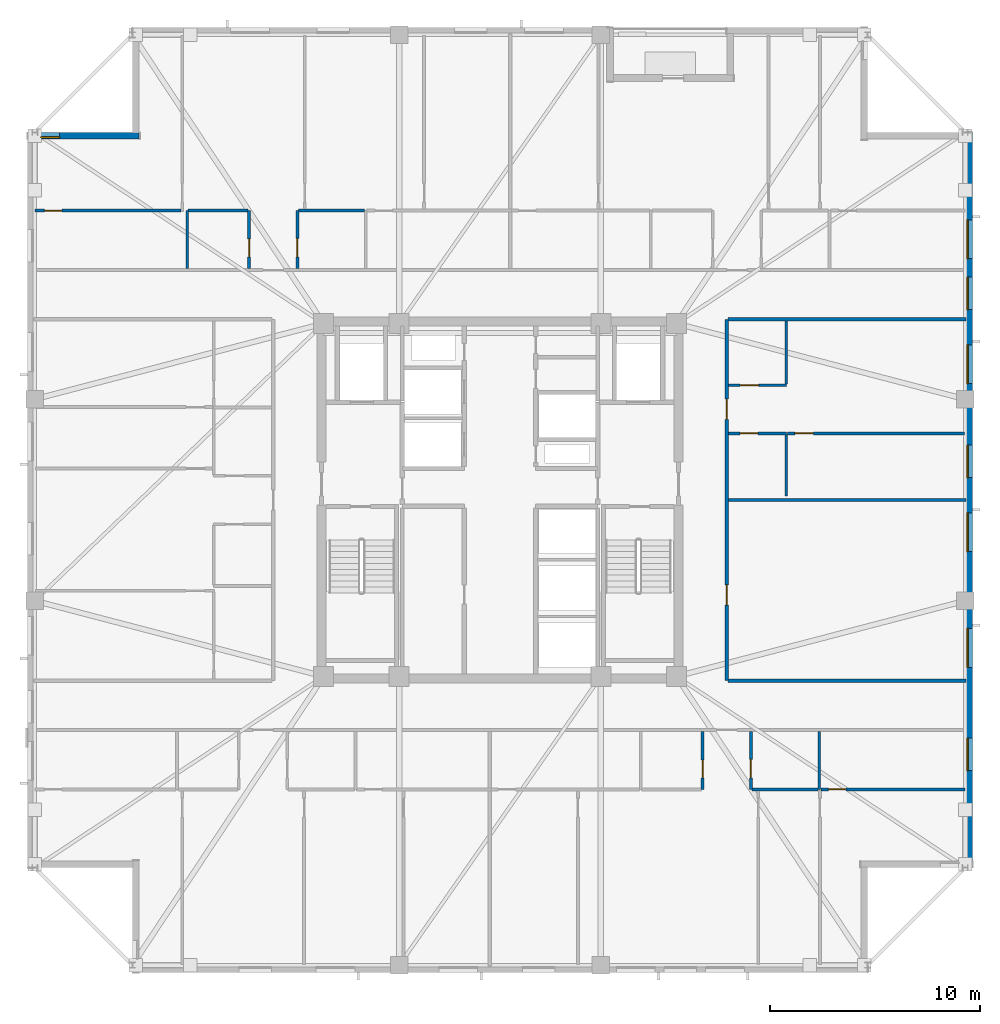
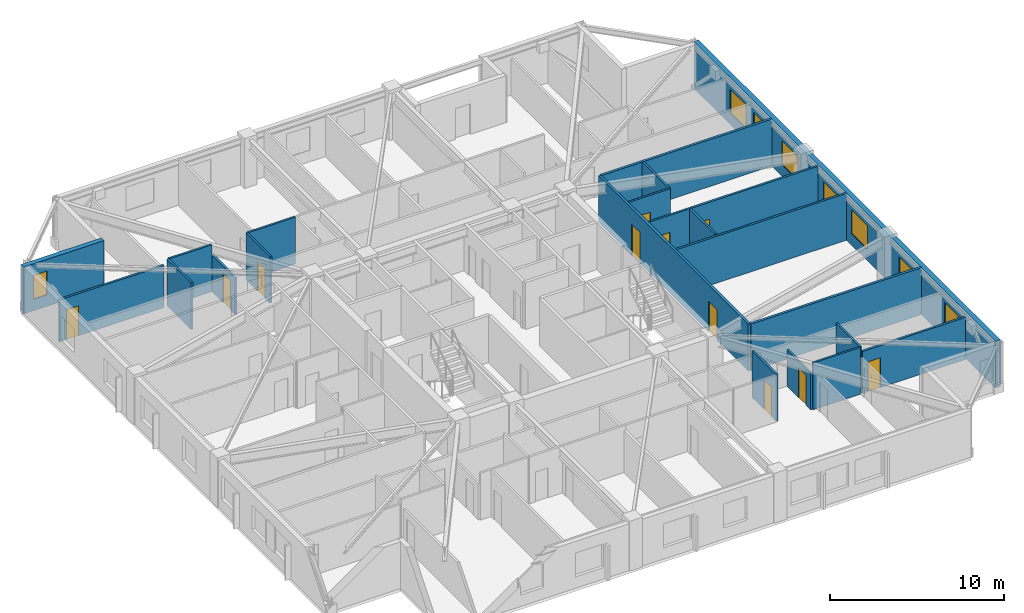
# One storey, part 10 of 17: 22 walls, 11 doors, 8 windows, 19 openings.
"""IFC4 building model written with IfcOpenShell, lengths in metres."""

from ifc_helpers import new_model, si_unit, direction, frame, frame_2d, origin, place, context, subcontext, project, spatial, rectangle, extrude, material, layer, layer_set, type_object, element, fill, save


model = new_model("IFC4")

# Units and contexts
model_context = context("Model", 3, precision=1e-05, world=origin(), true_north=direction((0.0, 1.0)))
body_context = subcontext(model_context, "Body", "Model", "MODEL_VIEW")
ifc_project = project(units=[si_unit("LENGTHUNIT", "METRE"), si_unit("AREAUNIT", "SQUARE_METRE"), si_unit("VOLUMEUNIT", "CUBIC_METRE"), si_unit("PLANEANGLEUNIT", "RADIAN"), si_unit("MASSUNIT", "GRAM", prefix="KILO")], contexts=[model_context])

# Site, building, storey
site_placement = place(None, origin())
site = spatial("IfcSite", under=ifc_project, at=site_placement, CompositionType="ELEMENT")
building_placement = place(site_placement, origin())
building = spatial("IfcBuilding", under=site, at=building_placement, Name="Cairnveth Concourse Tower", CompositionType="ELEMENT")
storey_placement = place(building_placement, frame((0.0, 0.0, 202.5)))
storey = spatial("IfcBuildingStorey", under=building, at=storey_placement, Name="L55", CompositionType="ELEMENT", Elevation=202.5)

# Wall, openings, doors
ifc_material_1 = material(Name="Gypsum Plasterboard Partition", Category="gypsum")
ifc_layer_1 = layer(ifc_material_1, 0.159912109375)
ifc_layer_set_1 = layer_set([ifc_layer_1], Name="Gypsum Plasterboard Partition")
wall_type_1 = type_object("IfcWallType", Name="ACOUSTIC PARTY WALL 180", PredefinedType="PARTITIONING", material=ifc_layer_set_1)
wall_1_placement = place(storey_placement, frame((62.800048828125, 30.39990234375, 0.0), z_axis=(0.0, 0.0, 1.0), x_axis=(0.0, 1.0, 0.0)))
wall_1 = element("IfcWall", 1, at=wall_1_placement, inside=storey, type_object=wall_type_1, Name="Interior Wall IW-L55-039", PredefinedType="PARTITIONING", context=body_context, shape_type="SweptSolid", body=[
    extrude(rectangle(XDim=17.2001953125, YDim=0.159912109375, at=frame_2d((8.60009765625, 0.0))), origin(), (0.0, 0.0, 1.0), 3.2900390625),
])
opening_1_placement = place(wall_1_placement, frame((3.60009765625, 0.0, 0.0)))
opening_1 = element("IfcOpeningElement", 2, at=opening_1_placement, cuts=wall_1, Name="Opening ID11", PredefinedType="OPENING", context=body_context, shape_type="SweptSolid", body=[
    extrude(rectangle(XDim=0.9599609375, YDim=2.1201171875, at=frame_2d((0.47998046875, 1.06005859375))), frame((0.0, 0.08984375, 0.0), z_axis=(0.0, -1.0, 0.0), x_axis=(1.0, 0.0, 0.0)), (0.0, 0.0, 1.0), 0.179931640625),
])
opening_2_placement = place(wall_1_placement, frame((12.43994140625, 0.0, 0.0)))
opening_2 = element("IfcOpeningElement", 3, at=opening_2_placement, cuts=wall_1, Name="Opening ID10", PredefinedType="OPENING", context=body_context, shape_type="SweptSolid", body=[
    extrude(rectangle(XDim=0.9599609375, YDim=2.179931640625, at=frame_2d((0.47998046875, 1.08984375))), frame((0.0, 0.08984375, 0.0), z_axis=(0.0, -1.0, 0.0), x_axis=(1.0, 0.0, 0.0)), (0.0, 0.0, 1.0), 0.179931640625),
])
ifc_material_2 = material(Name="Solid Core Hardwood Timber Leaf", Category="wood")
door_type_1 = type_object("IfcDoorType", Name="FLAT ENTRANCE DOOR 960X2150", OperationType="NOTDEFINED", PredefinedType="DOOR", material=ifc_material_2)
door_1_placement = place(opening_2_placement, origin())
door_1 = element("IfcDoor", 4, at=door_1_placement, inside=storey, type_object=door_type_1, Name="Apartment L55E1 Entrance Door", OperationType="SINGLE_SWING_RIGHT", OverallHeight=2.179931640625, OverallWidth=0.9599609375, PredefinedType="DOOR", context=body_context, shape_type="SweptSolid", body=[
    extrude(rectangle(XDim=0.9599609375, YDim=2.179931640625, at=frame_2d((0.47998046875, 1.08984375))), frame((0.0, 0.02490234375, 0.0), z_axis=(0.0, -1.0, 0.0), x_axis=(1.0, 0.0, 0.0)), (0.0, 0.0, 1.0), 0.050048828125),
])
fill(opening_2, door_1)
door_type_2 = type_object("IfcDoorType", Name="INTERIOR SINGLE DOOR 960X2150", OperationType="NOTDEFINED", PredefinedType="DOOR", material=ifc_material_2)
door_2_placement = place(opening_1_placement, origin())
door_2 = element("IfcDoor", 5, at=door_2_placement, inside=storey, type_object=door_type_2, Name="Interior Door DR-L55-054", OperationType="SINGLE_SWING_RIGHT", OverallHeight=2.1201171875, OverallWidth=0.9599609375, PredefinedType="DOOR", context=body_context, shape_type="SweptSolid", body=[
    extrude(rectangle(XDim=0.9599609375, YDim=2.1201171875, at=frame_2d((0.47998046875, 1.06005859375))), frame((0.0, 0.02490234375, 0.0), z_axis=(0.0, -1.0, 0.0), x_axis=(1.0, 0.0, 0.0)), (0.0, 0.0, 1.0), 0.050048828125),
])
fill(opening_1, door_2)

# Walls
for number, where, z_axis, x_axis, name in (
    (6, (62.864990234375, 30.39990234375, 0.0), (0.0, 0.0, 1.0), (1.0, 0.0, 0.0), "Interior Wall IW-L55-042"),
    (7, (62.864990234375, 47.60009765625, 0.0), (0.0, 0.0, 1.0), (1.0, 0.0, 0.0), "Interior Wall IW-L55-043"),
):
    element("IfcWall", number, at=place(storey_placement, frame(where, z_axis=z_axis, x_axis=x_axis)), inside=storey, type_object=wall_type_1, Name=name, PredefinedType="PARTITIONING", context=body_context, shape_type="SweptSolid", body=[
        extrude(rectangle(XDim=11.330078125, YDim=0.159912109375, at=frame_2d((5.6650390625, 0.0))), origin(), (0.0, 0.0, 1.0), 3.2900390625),
    ])

# Wall, opening, door
ifc_layer_2 = layer(ifc_material_1, 0.139892578125)
ifc_layer_set_2 = layer_set([ifc_layer_2], Name="Gypsum Plasterboard Partition")
wall_type_2 = type_object("IfcWallType", Name="GYPSUM STUD PARTITION 140", PredefinedType="PARTITIONING", material=ifc_layer_set_2)
wall_2_placement = place(storey_placement, frame((67.284912109375, 25.219970703125, 0.0), z_axis=(0.0, 0.0, 1.0), x_axis=(1.0, 0.0, 0.0)))
wall_2 = element("IfcWall", 8, at=wall_2_placement, inside=storey, type_object=wall_type_2, Name="Interior Wall IW-L55-065", PredefinedType="PARTITIONING", context=body_context, shape_type="SweptSolid", body=[
    extrude(rectangle(XDim=6.844970703125, YDim=0.139892578125, at=frame_2d((3.42236328125, 0.0))), origin(), (0.0, 0.0, 1.0), 2.9580078125),
])
opening_3_placement = place(wall_2_placement, frame((0.361083984375, 0.0, 0.0)))
opening_3 = element("IfcOpeningElement", 9, at=opening_3_placement, cuts=wall_2, Name="Opening ID22", PredefinedType="OPENING", context=body_context, shape_type="SweptSolid", body=[
    extrude(rectangle(XDim=0.820068359375, YDim=2.10009765625, at=frame_2d((0.41015625, 1.050048828125))), frame((0.0, 0.079833984375, 0.0), z_axis=(0.0, -1.0, 0.0), x_axis=(1.0, 0.0, 0.0)), (0.0, 0.0, 1.0), 0.159912109375),
])
door_type_3 = type_object("IfcDoorType", Name="INTERIOR WC DOOR 820X2100", OperationType="NOTDEFINED", PredefinedType="DOOR", material=ifc_material_2)
door_3_placement = place(opening_3_placement, origin())
door_3 = element("IfcDoor", 10, at=door_3_placement, inside=storey, type_object=door_type_3, Name="L55S2 Utility Door", OperationType="SINGLE_SWING_RIGHT", OverallHeight=2.10009765625, OverallWidth=0.820068359375, PredefinedType="DOOR", context=body_context, shape_type="SweptSolid", body=[
    extrude(rectangle(XDim=0.820068359375, YDim=2.10009765625, at=frame_2d((0.41015625, 1.050048828125))), frame((0.0, 0.02490234375, 0.0), z_axis=(0.0, -1.0, 0.0), x_axis=(1.0, 0.0, 0.0)), (0.0, 0.0, 1.0), 0.050048828125),
])
fill(opening_3, door_3)

wall_3_placement = place(storey_placement, frame((29.8701171875, 52.780029296875, 0.0), z_axis=(0.0, 0.0, 1.0), x_axis=(1.0, 0.0, 0.0)))
wall_3 = element("IfcWall", 11, at=wall_3_placement, inside=storey, type_object=wall_type_2, Name="Interior Wall IW-L55-074", PredefinedType="PARTITIONING", context=body_context, shape_type="SweptSolid", body=[
    extrude(rectangle(XDim=6.94482421875, YDim=0.139892578125, at=frame_2d((3.472412109375, 0.0))), origin(), (0.0, 0.0, 1.0), 2.9580078125),
])
opening_4_placement = place(wall_3_placement, frame((0.449951171875, 0.0, 0.0)))
opening_4 = element("IfcOpeningElement", 12, at=opening_4_placement, cuts=wall_3, Name="Opening ID22", PredefinedType="OPENING", context=body_context, shape_type="SweptSolid", body=[
    extrude(rectangle(XDim=0.820068359375, YDim=2.10009765625, at=frame_2d((0.41015625, 1.050048828125))), frame((0.0, 0.079833984375, 0.0), z_axis=(0.0, -1.0, 0.0), x_axis=(1.0, 0.0, 0.0)), (0.0, 0.0, 1.0), 0.159912109375),
])
door_4_placement = place(opening_4_placement, origin())
door_4 = element("IfcDoor", 13, at=door_4_placement, inside=storey, type_object=door_type_3, Name="L55N1 Dressing Door", OperationType="SINGLE_SWING_RIGHT", OverallHeight=2.10009765625, OverallWidth=0.820068359375, PredefinedType="DOOR", context=body_context, shape_type="SweptSolid", body=[
    extrude(rectangle(XDim=0.820068359375, YDim=2.10009765625, at=frame_2d((0.41015625, 1.050048828125))), frame((0.0, 0.02490234375, 0.0), z_axis=(0.0, -1.0, 0.0), x_axis=(1.0, 0.0, 0.0)), (0.0, 0.0, 1.0), 0.050048828125),
])
fill(opening_4, door_4)

# Wall
wall_4_placement = place(storey_placement, frame((62.8798828125, 39.0, 0.0), z_axis=(0.0, 0.0, 1.0), x_axis=(1.0, 0.0, 0.0)))
element("IfcWall", 14, at=wall_4_placement, inside=storey, type_object=wall_type_2, Name="Interior Wall IW-L55-101", PredefinedType="PARTITIONING", context=body_context, shape_type="SweptSolid", body=[
    extrude(rectangle(XDim=11.315185546875, YDim=0.139892578125, at=frame_2d((5.65771484375, 0.0))), origin(), (0.0, 0.0, 1.0), 3.2900390625),
])

# Wall, opening, door
wall_5_placement = place(storey_placement, frame((65.679931640625, 42.169921875, 0.0), z_axis=(0.0, 0.0, 1.0), x_axis=(1.0, 0.0, 0.0)))
wall_5 = element("IfcWall", 15, at=wall_5_placement, inside=storey, type_object=wall_type_2, Name="Interior Wall IW-L55-106", PredefinedType="PARTITIONING", context=body_context, shape_type="SweptSolid", body=[
    extrude(rectangle(XDim=8.440185546875, YDim=0.139892578125, at=frame_2d((4.22021484375, 0.0))), origin(), (0.0, 0.0, 1.0), 3.2900390625),
])
opening_5_placement = place(wall_5_placement, frame((0.360107421875, 0.0, 0.0)))
opening_5 = element("IfcOpeningElement", 16, at=opening_5_placement, cuts=wall_5, Name="Opening ID18", PredefinedType="OPENING", context=body_context, shape_type="SweptSolid", body=[
    extrude(rectangle(XDim=0.8798828125, YDim=2.10009765625, at=frame_2d((0.43994140625, 1.050048828125))), frame((0.0, 0.079833984375, 0.0), z_axis=(0.0, -1.0, 0.0), x_axis=(1.0, 0.0, 0.0)), (0.0, 0.0, 1.0), 0.159912109375),
])
door_type_4 = type_object("IfcDoorType", Name="INTERIOR SINGLE DOOR 880X2100", OperationType="NOTDEFINED", PredefinedType="DOOR", material=ifc_material_2)
door_5_placement = place(opening_5_placement, origin())
door_5 = element("IfcDoor", 17, at=door_5_placement, inside=storey, type_object=door_type_4, Name="L55E1 Master Bedroom Door", OperationType="SINGLE_SWING_LEFT", OverallHeight=2.10009765625, OverallWidth=0.8798828125, PredefinedType="DOOR", context=body_context, shape_type="SweptSolid", body=[
    extrude(rectangle(XDim=0.8798828125, YDim=2.10009765625, at=frame_2d((0.43994140625, 1.050048828125))), frame((0.0, 0.02490234375, 0.0), z_axis=(0.0, -1.0, 0.0), x_axis=(1.0, 0.0, 0.0)), (0.0, 0.0, 1.0), 0.050048828125),
])
fill(opening_5, door_5)

ifc_layer_3 = layer(ifc_material_1, 0.1298828125)
ifc_layer_set_3 = layer_set([ifc_layer_3], Name="Gypsum Plasterboard Partition")
wall_type_3 = type_object("IfcWallType", Name="WET AREA PARTITION 140", PredefinedType="PLUMBINGWALL", material=ifc_layer_set_3)
wall_6_placement = place(storey_placement, frame((61.646240234375, 25.219970703125, 0.0), z_axis=(0.0, 0.0, 1.0), x_axis=(0.0, 1.0, 0.0)))
wall_6 = element("IfcWall", 18, at=wall_6_placement, inside=storey, type_object=wall_type_3, Name="Interior Wall IW-L55-057", PredefinedType="PLUMBINGWALL", context=body_context, shape_type="SweptSolid", body=[
    extrude(rectangle(XDim=2.75, YDim=0.1298828125, at=frame_2d((1.375, 0.0))), origin(), (0.0, 0.0, 1.0), 3.2900390625),
])
opening_6_placement = place(wall_6_placement, frame((0.550048828125, 0.0, 0.0)))
opening_6 = element("IfcOpeningElement", 19, at=opening_6_placement, cuts=wall_6, Name="Opening ID21", PredefinedType="OPENING", context=body_context, shape_type="SweptSolid", body=[
    extrude(rectangle(XDim=0.85009765625, YDim=2.080078125, at=frame_2d((0.425048828125, 1.0400390625))), frame((0.0, 0.074951171875, 0.0), z_axis=(0.0, -1.0, 0.0), x_axis=(1.0, 0.0, 0.0)), (0.0, 0.0, 1.0), 0.14990234375),
])
door_type_5 = type_object("IfcDoorType", Name="INTERIOR WC DOOR 850X2100", OperationType="NOTDEFINED", PredefinedType="DOOR", material=ifc_material_2)
door_6_placement = place(opening_6_placement, origin())
door_6 = element("IfcDoor", 20, at=door_6_placement, inside=storey, type_object=door_type_5, Name="L55S2 Bathroom Door", OperationType="SINGLE_SWING_RIGHT", OverallHeight=2.080078125, OverallWidth=0.85009765625, PredefinedType="DOOR", context=body_context, shape_type="SweptSolid", body=[
    extrude(rectangle(XDim=0.85009765625, YDim=2.080078125, at=frame_2d((0.425048828125, 1.0400390625))), frame((0.0, 0.02490234375, 0.0), z_axis=(0.0, -1.0, 0.0), x_axis=(1.0, 0.0, 0.0)), (0.0, 0.0, 1.0), 0.050048828125),
])
fill(opening_6, door_6)

# Wall
wall_7_placement = place(storey_placement, frame((67.1962890625, 25.219970703125, 0.0), z_axis=(0.0, 0.0, 1.0), x_axis=(0.0, 1.0, 0.0)))
element("IfcWall", 21, at=wall_7_placement, inside=storey, type_object=wall_type_3, Name="Interior Wall IW-L55-059", PredefinedType="PLUMBINGWALL", context=body_context, shape_type="SweptSolid", body=[
    extrude(rectangle(XDim=2.75, YDim=0.1298828125, at=frame_2d((1.375, 0.0))), origin(), (0.0, 0.0, 1.0), 3.2900390625),
])

# Wall, opening, door
wall_8_placement = place(storey_placement, frame((63.9462890625, 25.219970703125, 0.0), z_axis=(0.0, 0.0, 1.0), x_axis=(0.0, 1.0, 0.0)))
wall_8 = element("IfcWall", 22, at=wall_8_placement, inside=storey, type_object=wall_type_3, Name="Interior Wall IW-L55-060", PredefinedType="PLUMBINGWALL", context=body_context, shape_type="SweptSolid", body=[
    extrude(rectangle(XDim=2.75, YDim=0.1298828125, at=frame_2d((1.375, 0.0))), origin(), (0.0, 0.0, 1.0), 2.572998046875),
])
opening_7_placement = place(wall_8_placement, frame((0.550048828125, 0.0, 0.0)))
opening_7 = element("IfcOpeningElement", 23, at=opening_7_placement, cuts=wall_8, Name="Opening ID18", PredefinedType="OPENING", context=body_context, shape_type="SweptSolid", body=[
    extrude(rectangle(XDim=0.8798828125, YDim=2.10009765625, at=frame_2d((0.43994140625, 1.050048828125))), frame((0.0, 0.074951171875, 0.0), z_axis=(0.0, -1.0, 0.0), x_axis=(1.0, 0.0, 0.0)), (0.0, 0.0, 1.0), 0.14990234375),
])
door_7_placement = place(opening_7_placement, origin())
door_7 = element("IfcDoor", 24, at=door_7_placement, inside=storey, type_object=door_type_4, Name="L55S2 Kitchen Door", OperationType="SINGLE_SWING_LEFT", OverallHeight=2.10009765625, OverallWidth=0.8798828125, PredefinedType="DOOR", context=body_context, shape_type="SweptSolid", body=[
    extrude(rectangle(XDim=0.8798828125, YDim=2.10009765625, at=frame_2d((0.43994140625, 1.050048828125))), frame((0.0, 0.02490234375, 0.0), z_axis=(0.0, -1.0, 0.0), x_axis=(1.0, 0.0, 0.0)), (0.0, 0.0, 1.0), 0.050048828125),
])
fill(opening_7, door_7)

# Walls
wall_9_placement = place(storey_placement, frame((63.99609375, 25.219970703125, 0.0), z_axis=(0.0, 0.0, 1.0), x_axis=(1.0, 0.0, 0.0)))
element("IfcWall", 25, at=wall_9_placement, inside=storey, type_object=wall_type_3, Name="Interior Wall IW-L55-061", PredefinedType="PLUMBINGWALL", context=body_context, shape_type="SweptSolid", body=[
    extrude(rectangle(XDim=3.150146484375, YDim=0.1298828125, at=frame_2d((1.5751953125, 0.0))), origin(), (0.0, 0.0, 1.0), 3.2900390625),
])
wall_10_placement = place(storey_placement, frame((37.103759765625, 50.030029296875, 0.0), z_axis=(0.0, 0.0, 1.0), x_axis=(0.0, 1.0, 0.0)))
element("IfcWall", 26, at=wall_10_placement, inside=storey, type_object=wall_type_3, Name="Interior Wall IW-L55-067", PredefinedType="PLUMBINGWALL", context=body_context, shape_type="SweptSolid", body=[
    extrude(rectangle(XDim=2.75, YDim=0.1298828125, at=frame_2d((1.375, 0.0))), origin(), (0.0, 0.0, 1.0), 3.2900390625),
])

# Wall, opening, door
wall_11_placement = place(storey_placement, frame((40.0537109375, 50.030029296875, 0.0), z_axis=(0.0, 0.0, 1.0), x_axis=(0.0, 1.0, 0.0)))
wall_11 = element("IfcWall", 27, at=wall_11_placement, inside=storey, type_object=wall_type_3, Name="Interior Wall IW-L55-068", PredefinedType="PLUMBINGWALL", context=body_context, shape_type="SweptSolid", body=[
    extrude(rectangle(XDim=2.75, YDim=0.1298828125, at=frame_2d((1.375, 0.0))), origin(), (0.0, 0.0, 1.0), 2.572998046875),
])
opening_8_placement = place(wall_11_placement, frame((0.550048828125, 0.0, 0.0)))
opening_8 = element("IfcOpeningElement", 28, at=opening_8_placement, cuts=wall_11, Name="Opening ID21", PredefinedType="OPENING", context=body_context, shape_type="SweptSolid", body=[
    extrude(rectangle(XDim=0.85009765625, YDim=2.080078125, at=frame_2d((0.425048828125, 1.0400390625))), frame((0.0, 0.074951171875, 0.0), z_axis=(0.0, -1.0, 0.0), x_axis=(1.0, 0.0, 0.0)), (0.0, 0.0, 1.0), 0.14990234375),
])
door_8_placement = place(opening_8_placement, origin())
door_8 = element("IfcDoor", 29, at=door_8_placement, inside=storey, type_object=door_type_5, Name="L55N1 Bathroom Door", OperationType="SINGLE_SWING_RIGHT", OverallHeight=2.080078125, OverallWidth=0.85009765625, PredefinedType="DOOR", context=body_context, shape_type="SweptSolid", body=[
    extrude(rectangle(XDim=0.85009765625, YDim=2.080078125, at=frame_2d((0.425048828125, 1.0400390625))), frame((0.0, 0.02490234375, 0.0), z_axis=(0.0, -1.0, 0.0), x_axis=(1.0, 0.0, 0.0)), (0.0, 0.0, 1.0), 0.050048828125),
])
fill(opening_8, door_8)

# Wall
wall_12_placement = place(storey_placement, frame((37.15380859375, 52.780029296875, 0.0), z_axis=(0.0, 0.0, 1.0), x_axis=(1.0, 0.0, 0.0)))
element("IfcWall", 30, at=wall_12_placement, inside=storey, type_object=wall_type_3, Name="Interior Wall IW-L55-069", PredefinedType="PLUMBINGWALL", context=body_context, shape_type="SweptSolid", body=[
    extrude(rectangle(XDim=2.85009765625, YDim=0.1298828125, at=frame_2d((1.425048828125, 0.0))), origin(), (0.0, 0.0, 1.0), 3.2900390625),
])

# Wall, opening, door
wall_13_placement = place(storey_placement, frame((42.353759765625, 50.030029296875, 0.0), z_axis=(0.0, 0.0, 1.0), x_axis=(0.0, 1.0, 0.0)))
wall_13 = element("IfcWall", 31, at=wall_13_placement, inside=storey, type_object=wall_type_3, Name="Interior Wall IW-L55-071", PredefinedType="PLUMBINGWALL", context=body_context, shape_type="SweptSolid", body=[
    extrude(rectangle(XDim=2.75, YDim=0.1298828125, at=frame_2d((1.375, 0.0))), origin(), (0.0, 0.0, 1.0), 3.2900390625),
])
opening_9_placement = place(wall_13_placement, frame((0.550048828125, 0.0, 0.0)))
opening_9 = element("IfcOpeningElement", 32, at=opening_9_placement, cuts=wall_13, Name="Opening ID18", PredefinedType="OPENING", context=body_context, shape_type="SweptSolid", body=[
    extrude(rectangle(XDim=0.8798828125, YDim=2.10009765625, at=frame_2d((0.43994140625, 1.050048828125))), frame((0.0, 0.074951171875, 0.0), z_axis=(0.0, -1.0, 0.0), x_axis=(1.0, 0.0, 0.0)), (0.0, 0.0, 1.0), 0.14990234375),
])
door_9_placement = place(opening_9_placement, origin())
door_9 = element("IfcDoor", 33, at=door_9_placement, inside=storey, type_object=door_type_4, Name="L55N1 Kitchen Door", OperationType="SINGLE_SWING_LEFT", OverallHeight=2.10009765625, OverallWidth=0.8798828125, PredefinedType="DOOR", context=body_context, shape_type="SweptSolid", body=[
    extrude(rectangle(XDim=0.8798828125, YDim=2.10009765625, at=frame_2d((0.43994140625, 1.050048828125))), frame((0.0, 0.02490234375, 0.0), z_axis=(0.0, -1.0, 0.0), x_axis=(1.0, 0.0, 0.0)), (0.0, 0.0, 1.0), 0.050048828125),
])
fill(opening_9, door_9)

# Wall
wall_14_placement = place(storey_placement, frame((42.40380859375, 52.780029296875, 0.0), z_axis=(0.0, 0.0, 1.0), x_axis=(1.0, 0.0, 0.0)))
element("IfcWall", 34, at=wall_14_placement, inside=storey, type_object=wall_type_3, Name="Interior Wall IW-L55-072", PredefinedType="PLUMBINGWALL", context=body_context, shape_type="SweptSolid", body=[
    extrude(rectangle(XDim=3.14990234375, YDim=0.1298828125, at=frame_2d((1.574951171875, 0.0))), origin(), (0.0, 0.0, 1.0), 3.2900390625),
])

# Wall, opening, door
wall_15_placement = place(storey_placement, frame((62.8798828125, 42.169921875, 0.0), z_axis=(0.0, 0.0, 1.0), x_axis=(1.0, 0.0, 0.0)))
wall_15 = element("IfcWall", 35, at=wall_15_placement, inside=storey, type_object=wall_type_3, Name="Interior Wall IW-L55-102", PredefinedType="PLUMBINGWALL", context=body_context, shape_type="SweptSolid", body=[
    extrude(rectangle(XDim=2.75, YDim=0.1298828125, at=frame_2d((1.375, 0.0))), origin(), (0.0, 0.0, 1.0), 3.2900390625),
])
opening_10_placement = place(wall_15_placement, frame((0.550048828125, 0.0, 0.0)))
opening_10 = element("IfcOpeningElement", 36, at=opening_10_placement, cuts=wall_15, Name="Opening ID21", PredefinedType="OPENING", context=body_context, shape_type="SweptSolid", body=[
    extrude(rectangle(XDim=0.85009765625, YDim=2.080078125, at=frame_2d((0.425048828125, 1.0400390625))), frame((0.0, 0.074951171875, 0.0), z_axis=(0.0, -1.0, 0.0), x_axis=(1.0, 0.0, 0.0)), (0.0, 0.0, 1.0), 0.14990234375),
])
door_10_placement = place(opening_10_placement, origin())
door_10 = element("IfcDoor", 37, at=door_10_placement, inside=storey, type_object=door_type_5, Name="L55E1 Bathroom Door", OperationType="SINGLE_SWING_LEFT", OverallHeight=2.080078125, OverallWidth=0.85009765625, PredefinedType="DOOR", context=body_context, shape_type="SweptSolid", body=[
    extrude(rectangle(XDim=0.85009765625, YDim=2.080078125, at=frame_2d((0.425048828125, 1.0400390625))), frame((0.0, 0.02490234375, 0.0), z_axis=(0.0, -1.0, 0.0), x_axis=(1.0, 0.0, 0.0)), (0.0, 0.0, 1.0), 0.050048828125),
])
fill(opening_10, door_10)

# Wall
wall_16_placement = place(storey_placement, frame((65.6298828125, 39.179931640625, 0.0), z_axis=(0.0, 0.0, 1.0), x_axis=(0.0, 1.0, 0.0)))
element("IfcWall", 38, at=wall_16_placement, inside=storey, type_object=wall_type_3, Name="Interior Wall IW-L55-103", PredefinedType="PLUMBINGWALL", context=body_context, shape_type="SweptSolid", body=[
    extrude(rectangle(XDim=2.940185546875, YDim=0.1298828125, at=frame_2d((1.47021484375, 0.0))), origin(), (0.0, 0.0, 1.0), 3.2900390625),
])

# Wall, opening, door
wall_17_placement = place(storey_placement, frame((62.8798828125, 44.469970703125, 0.0), z_axis=(0.0, 0.0, 1.0), x_axis=(1.0, 0.0, 0.0)))
wall_17 = element("IfcWall", 39, at=wall_17_placement, inside=storey, type_object=wall_type_3, Name="Interior Wall IW-L55-104", PredefinedType="PLUMBINGWALL", context=body_context, shape_type="SweptSolid", body=[
    extrude(rectangle(XDim=2.75, YDim=0.1298828125, at=frame_2d((1.375, 0.0))), origin(), (0.0, 0.0, 1.0), 3.2900390625),
])
opening_11_placement = place(wall_17_placement, frame((0.550048828125, 0.0, 0.0)))
opening_11 = element("IfcOpeningElement", 40, at=opening_11_placement, cuts=wall_17, Name="Opening ID18", PredefinedType="OPENING", context=body_context, shape_type="SweptSolid", body=[
    extrude(rectangle(XDim=0.8798828125, YDim=2.10009765625, at=frame_2d((0.43994140625, 1.050048828125))), frame((0.0, 0.074951171875, 0.0), z_axis=(0.0, -1.0, 0.0), x_axis=(1.0, 0.0, 0.0)), (0.0, 0.0, 1.0), 0.14990234375),
])
door_11_placement = place(opening_11_placement, origin())
door_11 = element("IfcDoor", 41, at=door_11_placement, inside=storey, type_object=door_type_4, Name="L55E1 Kitchen Door", OperationType="SINGLE_SWING_RIGHT", OverallHeight=2.10009765625, OverallWidth=0.8798828125, PredefinedType="DOOR", context=body_context, shape_type="SweptSolid", body=[
    extrude(rectangle(XDim=0.8798828125, YDim=2.10009765625, at=frame_2d((0.43994140625, 1.050048828125))), frame((0.0, 0.02490234375, 0.0), z_axis=(0.0, -1.0, 0.0), x_axis=(1.0, 0.0, 0.0)), (0.0, 0.0, 1.0), 0.050048828125),
])
fill(opening_11, door_11)

# Wall
wall_18_placement = place(storey_placement, frame((65.6298828125, 44.52001953125, 0.0), z_axis=(0.0, 0.0, 1.0), x_axis=(0.0, 1.0, 0.0)))
element("IfcWall", 42, at=wall_18_placement, inside=storey, type_object=wall_type_3, Name="Interior Wall IW-L55-105", PredefinedType="PLUMBINGWALL", context=body_context, shape_type="SweptSolid", body=[
    extrude(rectangle(XDim=3.014892578125, YDim=0.1298828125, at=frame_2d((1.50732421875, 0.0))), origin(), (0.0, 0.0, 1.0), 3.2900390625),
])

# Wall, openings, windows
ifc_material_3 = material(Name="Melbourne Buff Fired Clay Brick Masonry", Category="masonry")
ifc_layer_4 = layer(ifc_material_3, 0.320068359375)
ifc_layer_set_4 = layer_set([ifc_layer_4], Name="Melbourne Buff Fired Clay Brick Masonry")
wall_type_4 = type_object("IfcWallType", Name="ZONE 3 BRICK PIER SPANDREL WALL 320", PredefinedType="SOLIDWALL", material=ifc_layer_set_4)
wall_19_placement = place(storey_placement, frame((74.340087890625, 56.5, 0.0), z_axis=(0.0, 0.0, 1.0), x_axis=(0.0, -1.0, 0.0)))
wall_19 = element("IfcWall", 43, at=wall_19_placement, inside=storey, type_object=wall_type_4, Name="Exterior Wall EW-L55-S03", PredefinedType="SOLIDWALL", context=body_context, shape_type="SweptSolid", body=[
    extrude(rectangle(XDim=34.701904296875, YDim=0.320068359375, at=frame_2d((17.35107421875, 0.0))), origin(), (0.0, 0.0, 1.0), 3.2900390625),
])
opening_12_placement = place(wall_19_placement, frame((4.16259765625, 0.0, 0.800048828125)))
opening_12 = element("IfcOpeningElement", 44, at=opening_12_placement, cuts=wall_19, Name="Opening W08", PredefinedType="OPENING", context=body_context, shape_type="SweptSolid", body=[
    extrude(rectangle(XDim=1.85009765625, YDim=1.677978515625, at=frame_2d((0.925048828125, 0.8388671875))), frame((0.0, 0.169921875, 0.0), z_axis=(0.0, -1.0, 0.0), x_axis=(1.0, 0.0, 0.0)), (0.0, 0.0, 1.0), 0.340087890625),
])
opening_13_placement = place(wall_19_placement, frame((6.887939453125, 0.0, 0.800048828125)))
opening_13 = element("IfcOpeningElement", 45, at=opening_13_placement, cuts=wall_19, Name="Opening W07", PredefinedType="OPENING", context=body_context, shape_type="SweptSolid", body=[
    extrude(rectangle(XDim=1.550048828125, YDim=1.677978515625, at=frame_2d((0.77490234375, 0.8388671875))), frame((0.0, 0.169921875, 0.0), z_axis=(0.0, -1.0, 0.0), x_axis=(1.0, 0.0, 0.0)), (0.0, 0.0, 1.0), 0.340087890625),
])
opening_14_placement = place(wall_19_placement, frame((10.113037109375, 0.0, 0.800048828125)))
opening_14 = element("IfcOpeningElement", 46, at=opening_14_placement, cuts=wall_19, Name="Opening W08", PredefinedType="OPENING", context=body_context, shape_type="SweptSolid", body=[
    extrude(rectangle(XDim=1.85009765625, YDim=1.677978515625, at=frame_2d((0.925048828125, 0.8388671875))), frame((0.0, 0.169921875, 0.0), z_axis=(0.0, -1.0, 0.0), x_axis=(1.0, 0.0, 0.0)), (0.0, 0.0, 1.0), 0.340087890625),
])
opening_15_placement = place(wall_19_placement, frame((14.888427734375, 0.0, 0.800048828125)))
opening_15 = element("IfcOpeningElement", 47, at=opening_15_placement, cuts=wall_19, Name="Opening W07", PredefinedType="OPENING", context=body_context, shape_type="SweptSolid", body=[
    extrude(rectangle(XDim=1.550048828125, YDim=1.677978515625, at=frame_2d((0.77490234375, 0.8388671875))), frame((0.0, 0.169921875, 0.0), z_axis=(0.0, -1.0, 0.0), x_axis=(1.0, 0.0, 0.0)), (0.0, 0.0, 1.0), 0.340087890625),
])
opening_16_placement = place(wall_19_placement, frame((18.113525390625, 0.0, 0.800048828125)))
opening_16 = element("IfcOpeningElement", 48, at=opening_16_placement, cuts=wall_19, Name="Opening W08", PredefinedType="OPENING", context=body_context, shape_type="SweptSolid", body=[
    extrude(rectangle(XDim=1.85009765625, YDim=1.677978515625, at=frame_2d((0.925048828125, 0.8388671875))), frame((0.0, 0.169921875, 0.0), z_axis=(0.0, -1.0, 0.0), x_axis=(1.0, 0.0, 0.0)), (0.0, 0.0, 1.0), 0.340087890625),
])
opening_17_placement = place(wall_19_placement, frame((23.614013671875, 0.0, 0.800048828125)))
opening_17 = element("IfcOpeningElement", 49, at=opening_17_placement, cuts=wall_19, Name="Opening W08", PredefinedType="OPENING", context=body_context, shape_type="SweptSolid", body=[
    extrude(rectangle(XDim=1.85009765625, YDim=1.677978515625, at=frame_2d((0.925048828125, 0.8388671875))), frame((0.0, 0.169921875, 0.0), z_axis=(0.0, -1.0, 0.0), x_axis=(1.0, 0.0, 0.0)), (0.0, 0.0, 1.0), 0.340087890625),
])
opening_18_placement = place(wall_19_placement, frame((28.83935546875, 0.0, 0.800048828125)))
opening_18 = element("IfcOpeningElement", 50, at=opening_18_placement, cuts=wall_19, Name="Opening W07", PredefinedType="OPENING", context=body_context, shape_type="SweptSolid", body=[
    extrude(rectangle(XDim=1.550048828125, YDim=1.677978515625, at=frame_2d((0.77490234375, 0.8388671875))), frame((0.0, 0.169921875, 0.0), z_axis=(0.0, -1.0, 0.0), x_axis=(1.0, 0.0, 0.0)), (0.0, 0.0, 1.0), 0.340087890625),
])
ifc_material_4 = material(Name="Double Glazed Low-E Clear Glass", Category="glass")
window_type_1 = type_object("IfcWindowType", Name="DEEP-SET APARTMENT LIVING WINDOW 1850X1850", PartitioningType="DOUBLE_PANEL_VERTICAL", PredefinedType="WINDOW", material=ifc_material_4)
window_1_placement = place(opening_12_placement, origin())
window_1 = element("IfcWindow", 51, at=window_1_placement, inside=storey, type_object=window_type_1, Name="Gothic Lancet Window L55-3-1", OverallHeight=1.677978515625, OverallWidth=1.85009765625, PartitioningType="SINGLE_PANEL", PredefinedType="WINDOW", context=body_context, shape_type="SweptSolid", body=[
    extrude(rectangle(XDim=1.85009765625, YDim=1.677978515625, at=frame_2d((0.925048828125, 0.8388671875))), frame((0.0, -0.050048828125, 0.0), z_axis=(0.0, -1.0, 0.0), x_axis=(1.0, 0.0, 0.0)), (0.0, 0.0, 1.0), 0.06005859375),
])
fill(opening_12, window_1)
window_2_placement = place(opening_14_placement, origin())
window_2 = element("IfcWindow", 52, at=window_2_placement, inside=storey, type_object=window_type_1, Name="Gothic Lancet Window L55-3-3", OverallHeight=1.677978515625, OverallWidth=1.85009765625, PartitioningType="SINGLE_PANEL", PredefinedType="WINDOW", context=body_context, shape_type="SweptSolid", body=[
    extrude(rectangle(XDim=1.85009765625, YDim=1.677978515625, at=frame_2d((0.925048828125, 0.8388671875))), frame((0.0, -0.050048828125, 0.0), z_axis=(0.0, -1.0, 0.0), x_axis=(1.0, 0.0, 0.0)), (0.0, 0.0, 1.0), 0.06005859375),
])
fill(opening_14, window_2)
window_3_placement = place(opening_16_placement, origin())
window_3 = element("IfcWindow", 53, at=window_3_placement, inside=storey, type_object=window_type_1, Name="Gothic Lancet Window L55-3-5", OverallHeight=1.677978515625, OverallWidth=1.85009765625, PartitioningType="SINGLE_PANEL", PredefinedType="WINDOW", context=body_context, shape_type="SweptSolid", body=[
    extrude(rectangle(XDim=1.85009765625, YDim=1.677978515625, at=frame_2d((0.925048828125, 0.8388671875))), frame((0.0, -0.050048828125, 0.0), z_axis=(0.0, -1.0, 0.0), x_axis=(1.0, 0.0, 0.0)), (0.0, 0.0, 1.0), 0.06005859375),
])
fill(opening_16, window_3)
window_4_placement = place(opening_17_placement, origin())
window_4 = element("IfcWindow", 54, at=window_4_placement, inside=storey, type_object=window_type_1, Name="Gothic Lancet Window L55-3-7", OverallHeight=1.677978515625, OverallWidth=1.85009765625, PartitioningType="SINGLE_PANEL", PredefinedType="WINDOW", context=body_context, shape_type="SweptSolid", body=[
    extrude(rectangle(XDim=1.85009765625, YDim=1.677978515625, at=frame_2d((0.925048828125, 0.8388671875))), frame((0.0, -0.050048828125, 0.0), z_axis=(0.0, -1.0, 0.0), x_axis=(1.0, 0.0, 0.0)), (0.0, 0.0, 1.0), 0.06005859375),
])
fill(opening_17, window_4)
window_type_2 = type_object("IfcWindowType", Name="DEEP-SET APARTMENT WINDOW 1550X1800", PartitioningType="DOUBLE_PANEL_VERTICAL", PredefinedType="WINDOW", material=ifc_material_4)
window_5_placement = place(opening_13_placement, origin())
window_5 = element("IfcWindow", 55, at=window_5_placement, inside=storey, type_object=window_type_2, Name="Gothic Lancet Window L55-3-2", OverallHeight=1.677978515625, OverallWidth=1.550048828125, PartitioningType="SINGLE_PANEL", PredefinedType="WINDOW", context=body_context, shape_type="SweptSolid", body=[
    extrude(rectangle(XDim=1.550048828125, YDim=1.677978515625, at=frame_2d((0.77490234375, 0.8388671875))), frame((0.0, -0.050048828125, 0.0), z_axis=(0.0, -1.0, 0.0), x_axis=(1.0, 0.0, 0.0)), (0.0, 0.0, 1.0), 0.06005859375),
])
fill(opening_13, window_5)
window_6_placement = place(opening_15_placement, origin())
window_6 = element("IfcWindow", 56, at=window_6_placement, inside=storey, type_object=window_type_2, Name="Gothic Lancet Window L55-3-4", OverallHeight=1.677978515625, OverallWidth=1.550048828125, PartitioningType="SINGLE_PANEL", PredefinedType="WINDOW", context=body_context, shape_type="SweptSolid", body=[
    extrude(rectangle(XDim=1.550048828125, YDim=1.677978515625, at=frame_2d((0.77490234375, 0.8388671875))), frame((0.0, -0.050048828125, 0.0), z_axis=(0.0, -1.0, 0.0), x_axis=(1.0, 0.0, 0.0)), (0.0, 0.0, 1.0), 0.06005859375),
])
fill(opening_15, window_6)
window_7_placement = place(opening_18_placement, origin())
window_7 = element("IfcWindow", 57, at=window_7_placement, inside=storey, type_object=window_type_2, Name="Gothic Lancet Window L55-3-8", OverallHeight=1.677978515625, OverallWidth=1.550048828125, PartitioningType="SINGLE_PANEL", PredefinedType="WINDOW", context=body_context, shape_type="SweptSolid", body=[
    extrude(rectangle(XDim=1.550048828125, YDim=1.677978515625, at=frame_2d((0.77490234375, 0.8388671875))), frame((0.0, -0.050048828125, 0.0), z_axis=(0.0, -1.0, 0.0), x_axis=(1.0, 0.0, 0.0)), (0.0, 0.0, 1.0), 0.06005859375),
])
fill(opening_18, window_7)

# Wall, opening, window
wall_20_placement = place(storey_placement, frame((29.5, 56.340087890625, 0.0), z_axis=(0.0, 0.0, 1.0), x_axis=(1.0, 0.0, 0.0)))
wall_20 = element("IfcWall", 58, at=wall_20_placement, inside=storey, type_object=wall_type_4, Name="Exterior Wall EW-L55-S10", PredefinedType="SOLIDWALL", context=body_context, shape_type="SweptSolid", body=[
    extrude(rectangle(XDim=5.320068359375, YDim=0.320068359375, at=frame_2d((2.66015625, 0.0))), origin(), (0.0, 0.0, 1.0), 3.2900390625),
])
opening_19_placement = place(wall_20_placement, frame((0.6298828125, 0.0, 0.800048828125)))
opening_19 = element("IfcOpeningElement", 59, at=opening_19_placement, cuts=wall_20, Name="Opening W13", PredefinedType="OPENING", context=body_context, shape_type="SweptSolid", body=[
    extrude(rectangle(XDim=0.89990234375, YDim=1.677978515625, at=frame_2d((0.449951171875, 0.8388671875))), frame((0.0, 0.169921875, 0.0), z_axis=(0.0, -1.0, 0.0), x_axis=(1.0, 0.0, 0.0)), (0.0, 0.0, 1.0), 0.340087890625),
])
window_type_3 = type_object("IfcWindowType", Name="DEEP-SET BEDROOM LANCET WINDOW 900X1750", PartitioningType="DOUBLE_PANEL_VERTICAL", PredefinedType="WINDOW", material=ifc_material_4)
window_8_placement = place(opening_19_placement, origin())
window_8 = element("IfcWindow", 60, at=window_8_placement, inside=storey, type_object=window_type_3, Name="Dwelling Lancet Window L55-DW3", OverallHeight=1.677978515625, OverallWidth=0.89990234375, PartitioningType="SINGLE_PANEL", PredefinedType="WINDOW", context=body_context, shape_type="SweptSolid", body=[
    extrude(rectangle(XDim=0.89990234375, YDim=1.677978515625, at=frame_2d((0.449951171875, 0.8388671875))), frame((0.0, -0.0400390625, 0.0), z_axis=(0.0, -1.0, 0.0), x_axis=(1.0, 0.0, 0.0)), (0.0, 0.0, 1.0), 0.06005859375),
])
fill(opening_19, window_8)

save(model, "model.ifc")
